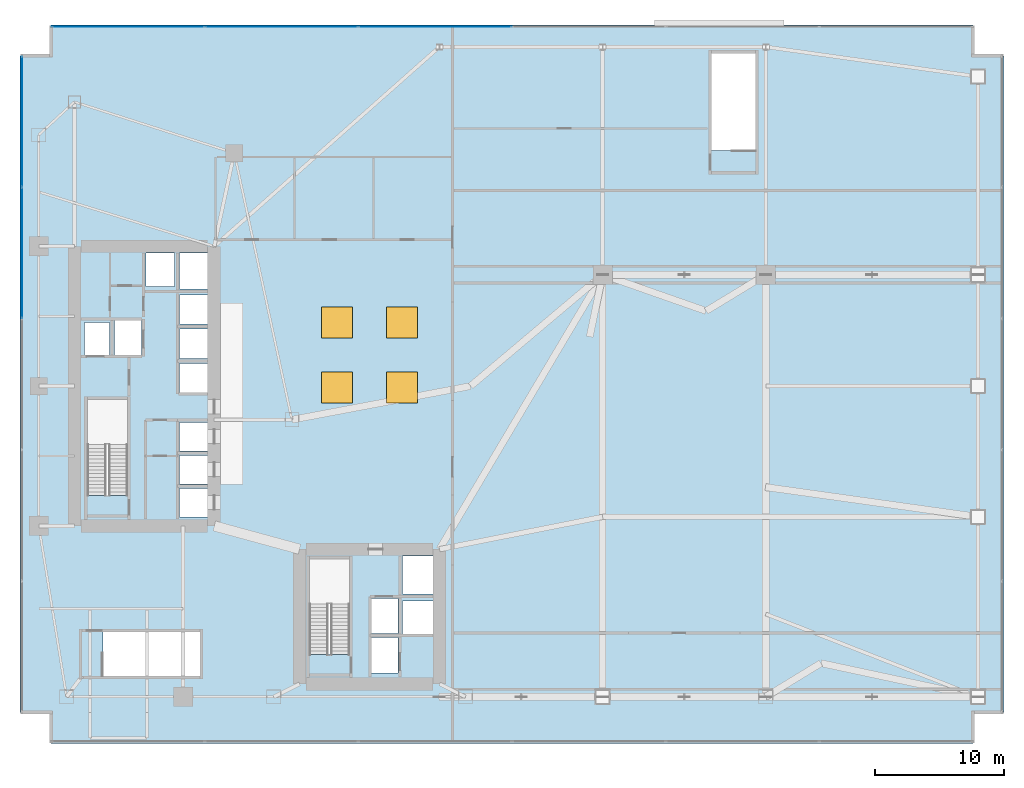
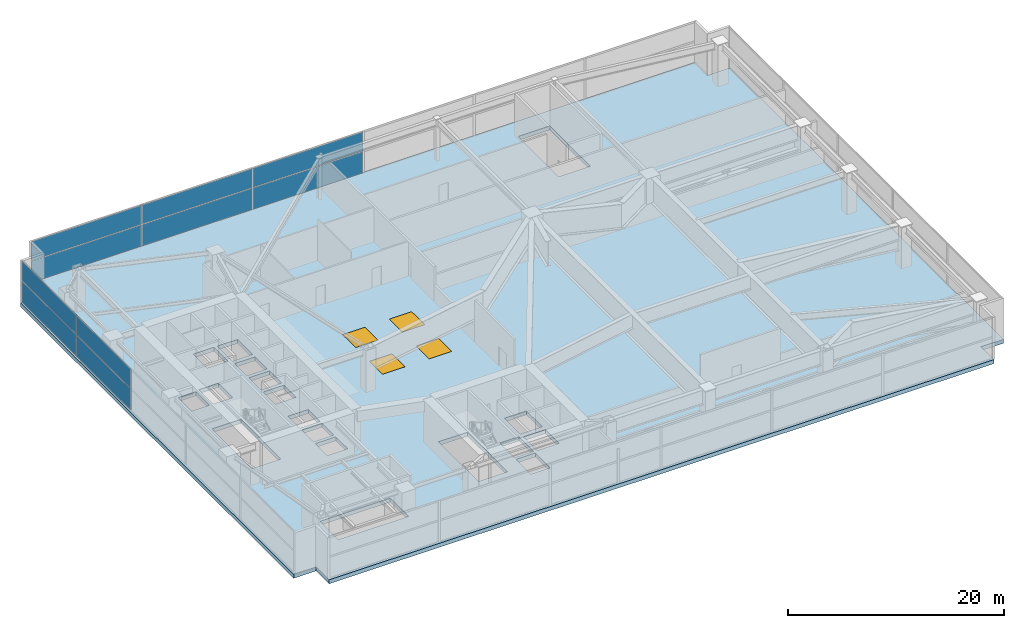
# One storey, part 29 of 36: 10 plates, 4 windows, 1 slab, 4 openings, 2 elements without a shape of their own.
"""IFC4 building model written with IfcOpenShell, lengths in metres."""

from ifc_helpers import new_model, si_unit, direction, frame, origin, origin_2d, place, context, subcontext, project, spatial, polyline, rectangle, outline, extrude, material, layer, layer_set, type_object, element, fill, aggregate, save


model = new_model("IFC4")

# Units and contexts
model_context = context("Model", 3, precision=1e-05, world=origin(), true_north=direction((0.0, 1.0)))
body_context = subcontext(model_context, "Body", "Model", "MODEL_VIEW")
ifc_project = project(units=[si_unit("LENGTHUNIT", "METRE"), si_unit("AREAUNIT", "SQUARE_METRE"), si_unit("VOLUMEUNIT", "CUBIC_METRE"), si_unit("PLANEANGLEUNIT", "RADIAN"), si_unit("MASSUNIT", "GRAM", prefix="KILO")], contexts=[model_context])

# Site, building, storey
site_placement = place(None, origin())
site = spatial("IfcSite", under=ifc_project, at=site_placement, CompositionType="ELEMENT")
building_placement = place(site_placement, origin())
building = spatial("IfcBuilding", under=site, at=building_placement, Name="Calvorn Quay Hotel", CompositionType="ELEMENT")
storey_placement = place(building_placement, frame((0.0, 0.0, 22.0)))
storey = spatial("IfcBuildingStorey", under=building, at=storey_placement, Name="L04", CompositionType="ELEMENT", Elevation=22.0)

# Curtain wall, plates
ifc_material_1 = material(Name="Pale Anodised Aluminium and Low-E Glass", Category="aluminium")
ifc_layer_1 = layer(ifc_material_1, 0.219970703125)
ifc_layer_set_1 = layer_set([ifc_layer_1], Name="CW-SYS-POD")
curtain_wall_type = type_object("IfcCurtainWallType", Name="CW-SYS-POD", PredefinedType="NOTDEFINED", material=ifc_layer_set_1)
curtain_wall_1_placement = place(storey_placement, origin())
curtain_wall_1 = element("IfcCurtainWall", 1, at=curtain_wall_1_placement, inside=storey, type_object=curtain_wall_type, Name="Podium Curtain Wall L04-W1", PredefinedType="NOTDEFINED")
ifc_material_2 = material(Name="Low-E Laminated Double Glazing", Category="glass")
ifc_layer_2 = layer(ifc_material_2, 0.028076171875)
ifc_layer_set_2 = layer_set([ifc_layer_2], Name="CW-SYS-POD-PAN")
plate_type = type_object("IfcPlateType", Name="CW-SYS-POD-PAN", PredefinedType="CURTAIN_PANEL", material=ifc_layer_set_2)
plate_1_placement = place(storey_placement, frame((0.14990234375, 37.889892578125, 0.06005859375), z_axis=(0.0, 0.0, 1.0), x_axis=(0.0, 1.0, 0.0)))
plate_1 = element("IfcPlate", 2, at=plate_1_placement, type_object=plate_type, Name="CW-L04-W1 panel 4.1", PredefinedType="CURTAIN_PANEL", context=body_context, shape_type="SweptSolid", body=[
    extrude(rectangle(XDim=10.080078125, YDim=0.028076171875, at=origin_2d()), origin(), (0.0, 0.0, 1.0), 2.409912109375),
])
plate_2_placement = place(storey_placement, frame((0.14990234375, 37.889892578125, 2.530029296875), z_axis=(0.0, 0.0, 1.0), x_axis=(0.0, 1.0, 0.0)))
plate_2 = element("IfcPlate", 3, at=plate_2_placement, type_object=plate_type, Name="CW-L04-W1 panel 4.2", PredefinedType="CURTAIN_PANEL", context=body_context, shape_type="SweptSolid", body=[
    extrude(rectangle(XDim=10.080078125, YDim=0.028076171875, at=origin_2d()), origin(), (0.0, 0.0, 1.0), 2.169921875),
])
plate_3_placement = place(storey_placement, frame((0.14990234375, 48.014892578125, 0.06005859375), z_axis=(0.0, 0.0, 1.0), x_axis=(0.0, 1.0, 0.0)))
plate_3 = element("IfcPlate", 4, at=plate_3_placement, type_object=plate_type, Name="CW-L04-W1 panel 5.1", PredefinedType="CURTAIN_PANEL", context=body_context, shape_type="SweptSolid", body=[
    extrude(rectangle(XDim=10.050048828125, YDim=0.028076171875, at=origin_2d()), origin(), (0.0, 0.0, 1.0), 2.409912109375),
])
plate_4_placement = place(storey_placement, frame((0.14990234375, 48.014892578125, 2.530029296875), z_axis=(0.0, 0.0, 1.0), x_axis=(0.0, 1.0, 0.0)))
plate_4 = element("IfcPlate", 5, at=plate_4_placement, type_object=plate_type, Name="CW-L04-W1 panel 5.2", PredefinedType="CURTAIN_PANEL", context=body_context, shape_type="SweptSolid", body=[
    extrude(rectangle(XDim=10.050048828125, YDim=0.028076171875, at=origin_2d()), origin(), (0.0, 0.0, 1.0), 2.169921875),
])
aggregate(curtain_wall_1, [plate_1, plate_2, plate_3, plate_4])

curtain_wall_2_placement = place(storey_placement, origin())
curtain_wall_2 = element("IfcCurtainWall", 6, at=curtain_wall_2_placement, inside=storey, type_object=curtain_wall_type, Name="Podium Curtain Wall L04-N1", PredefinedType="NOTDEFINED")
plate_5_placement = place(storey_placement, frame((8.348388671875, 55.35009765625, 0.06005859375), z_axis=(0.0, 0.0, 1.0), x_axis=(1.0, 0.0, 0.0)))
plate_5 = element("IfcPlate", 7, at=plate_5_placement, type_object=plate_type, Name="CW-L04-N1 panel 1.1", PredefinedType="CURTAIN_PANEL", context=body_context, shape_type="SweptSolid", body=[
    extrude(rectangle(XDim=11.776611328125, YDim=0.028076171875, at=origin_2d()), origin(), (0.0, 0.0, 1.0), 2.409912109375),
])
plate_6_placement = place(storey_placement, frame((8.348388671875, 55.35009765625, 2.530029296875), z_axis=(0.0, 0.0, 1.0), x_axis=(1.0, 0.0, 0.0)))
plate_6 = element("IfcPlate", 8, at=plate_6_placement, type_object=plate_type, Name="CW-L04-N1 panel 1.2", PredefinedType="CURTAIN_PANEL", context=body_context, shape_type="SweptSolid", body=[
    extrude(rectangle(XDim=11.776611328125, YDim=0.028076171875, at=origin_2d()), origin(), (0.0, 0.0, 1.0), 2.169921875),
])
plate_7_placement = place(storey_placement, frame((20.199951171875, 55.35009765625, 0.06005859375), z_axis=(0.0, 0.0, 1.0), x_axis=(1.0, 0.0, 0.0)))
plate_7 = element("IfcPlate", 9, at=plate_7_placement, type_object=plate_type, Name="CW-L04-N1 panel 2.1", PredefinedType="CURTAIN_PANEL", context=body_context, shape_type="SweptSolid", body=[
    extrude(rectangle(XDim=11.806640625, YDim=0.028076171875, at=origin_2d()), origin(), (0.0, 0.0, 1.0), 2.409912109375),
])
plate_8_placement = place(storey_placement, frame((20.199951171875, 55.35009765625, 2.530029296875), z_axis=(0.0, 0.0, 1.0), x_axis=(1.0, 0.0, 0.0)))
plate_8 = element("IfcPlate", 10, at=plate_8_placement, type_object=plate_type, Name="CW-L04-N1 panel 2.2", PredefinedType="CURTAIN_PANEL", context=body_context, shape_type="SweptSolid", body=[
    extrude(rectangle(XDim=11.806640625, YDim=0.028076171875, at=origin_2d()), origin(), (0.0, 0.0, 1.0), 2.169921875),
])
plate_9_placement = place(storey_placement, frame((32.066650390625, 55.35009765625, 0.06005859375), z_axis=(0.0, 0.0, 1.0), x_axis=(1.0, 0.0, 0.0)))
plate_9 = element("IfcPlate", 11, at=plate_9_placement, type_object=plate_type, Name="CW-L04-N1 panel 3.1", PredefinedType="CURTAIN_PANEL", context=body_context, shape_type="SweptSolid", body=[
    extrude(rectangle(XDim=11.806640625, YDim=0.028076171875, at=origin_2d()), origin(), (0.0, 0.0, 1.0), 2.409912109375),
])
plate_10_placement = place(storey_placement, frame((32.066650390625, 55.35009765625, 2.530029296875), z_axis=(0.0, 0.0, 1.0), x_axis=(1.0, 0.0, 0.0)))
plate_10 = element("IfcPlate", 12, at=plate_10_placement, type_object=plate_type, Name="CW-L04-N1 panel 3.2", PredefinedType="CURTAIN_PANEL", context=body_context, shape_type="SweptSolid", body=[
    extrude(rectangle(XDim=11.806640625, YDim=0.028076171875, at=origin_2d()), origin(), (0.0, 0.0, 1.0), 2.169921875),
])
aggregate(curtain_wall_2, [plate_5, plate_6, plate_7, plate_8, plate_9, plate_10])

# Slab, openings, windows
ifc_material_3 = material(Name="Concrete C50", Category="concrete")
ifc_layer_3 = layer(ifc_material_3, 0.449951171875)
ifc_layer_set_3 = layer_set([ifc_layer_3], Name="SLB-XFER-450")
slab_type = type_object("IfcSlabType", Name="SLB-XFER-450", PredefinedType="FLOOR", material=ifc_layer_set_3)
slab_placement = place(storey_placement, frame((0.0, 0.0, -0.449951171875)))
slab = element("IfcSlab", 13, at=slab_placement, inside=storey, type_object=slab_type, Name="L04 Structural Floor Slab", PredefinedType="FLOOR", context=body_context, shape_type="SweptSolid", body=[
    extrude(outline(polyline([(0.0, 2.39990234375), (2.39990234375, 2.39990234375), (2.39990234375, 0.0), (73.60009765625, 0.0), (73.60009765625, 2.39990234375), (76.0, 2.39990234375), (76.0, 53.10009765625), (73.60009765625, 53.10009765625), (73.60009765625, 55.5), (2.39990234375, 55.5), (2.39990234375, 53.10009765625), (0.0, 53.10009765625), (0.0, 2.39990234375)]), holes=[polyline([(5.199951171875, 19.156005859375), (8.300048828125, 19.156005859375), (8.300048828125, 26.550048828125), (5.199951171875, 26.550048828125), (5.199951171875, 19.156005859375)]), polyline([(22.35009765625, 6.85595703125), (25.449951171875, 6.85595703125), (25.449951171875, 14.25), (22.35009765625, 14.25), (22.35009765625, 6.85595703125)]), polyline([(53.39990234375, 45.805908203125), (56.800048828125, 45.805908203125), (56.800048828125, 53.300048828125), (53.39990234375, 53.300048828125), (53.39990234375, 45.805908203125)]), polyline([(6.406005859375, 5.199951171875), (13.89990234375, 5.199951171875), (13.89990234375, 8.60009765625), (6.406005859375, 8.60009765625), (6.406005859375, 5.199951171875)]), polyline([(5.0, 30.0), (6.89990234375, 30.0), (6.89990234375, 32.5), (5.0, 32.5), (5.0, 30.0)]), polyline([(7.300048828125, 30.0), (9.39990234375, 30.0), (9.39990234375, 32.64990234375), (7.300048828125, 32.64990234375), (7.300048828125, 30.0)]), polyline([(27.159912109375, 8.5), (29.2099609375, 8.5), (29.2099609375, 11.199951171875), (27.159912109375, 11.199951171875), (27.159912109375, 8.5)]), polyline([(27.159912109375, 5.449951171875), (29.2099609375, 5.449951171875), (29.2099609375, 8.199951171875), (27.159912109375, 8.199951171875), (27.159912109375, 5.449951171875)]), polyline([(12.300048828125, 17.5), (14.489990234375, 17.5), (14.489990234375, 19.699951171875), (12.300048828125, 19.699951171875), (12.300048828125, 17.5)]), polyline([(12.300048828125, 20.050048828125), (14.489990234375, 20.050048828125), (14.489990234375, 22.25), (12.300048828125, 22.25), (12.300048828125, 20.050048828125)]), polyline([(12.300048828125, 22.60009765625), (14.489990234375, 22.60009765625), (14.489990234375, 24.800048828125), (12.300048828125, 24.800048828125), (12.300048828125, 22.60009765625)]), polyline([(12.300048828125, 27.10009765625), (14.489990234375, 27.10009765625), (14.489990234375, 29.35009765625), (12.300048828125, 29.35009765625), (12.300048828125, 27.10009765625)]), polyline([(12.300048828125, 29.75), (14.489990234375, 29.75), (14.489990234375, 32.0), (12.300048828125, 32.0), (12.300048828125, 29.75)]), polyline([(12.300048828125, 32.39990234375), (14.489990234375, 32.39990234375), (14.489990234375, 34.64990234375), (12.300048828125, 34.64990234375), (12.300048828125, 32.39990234375)]), polyline([(12.300048828125, 35.10009765625), (14.489990234375, 35.10009765625), (14.489990234375, 37.889892578125), (12.300048828125, 37.889892578125), (12.300048828125, 35.10009765625)]), polyline([(9.75, 35.300048828125), (11.949951171875, 35.300048828125), (11.949951171875, 37.889892578125), (9.75, 37.889892578125), (9.75, 35.300048828125)]), polyline([(29.550048828125, 11.550048828125), (31.889892578125, 11.550048828125), (31.889892578125, 14.489990234375), (29.550048828125, 14.489990234375), (29.550048828125, 11.550048828125)]), polyline([(29.550048828125, 8.449951171875), (31.889892578125, 8.449951171875), (31.889892578125, 11.0), (29.550048828125, 11.0), (29.550048828125, 8.449951171875)])]), origin(), (0.0, 0.0, 1.0), 0.449951171875),
])
opening_1_placement = place(slab_placement, frame((24.5, 27.5, 0.0)))
opening_1 = element("IfcOpeningElement", 14, at=opening_1_placement, cuts=slab, Name="Opening SK-01", PredefinedType="OPENING", context=body_context, shape_type="SweptSolid", body=[
    extrude(rectangle(XDim=2.39990234375, YDim=2.39990234375, at=origin_2d()), origin(), (0.0, 0.0, 1.0), 0.449951171875),
])
opening_2_placement = place(slab_placement, frame((29.5, 27.5, 0.0)))
opening_2 = element("IfcOpeningElement", 15, at=opening_2_placement, cuts=slab, Name="Opening SK-02", PredefinedType="OPENING", context=body_context, shape_type="SweptSolid", body=[
    extrude(rectangle(XDim=2.39990234375, YDim=2.39990234375, at=origin_2d()), origin(), (0.0, 0.0, 1.0), 0.449951171875),
])
opening_3_placement = place(slab_placement, frame((24.5, 32.5, 0.0)))
opening_3 = element("IfcOpeningElement", 16, at=opening_3_placement, cuts=slab, Name="Opening SK-03", PredefinedType="OPENING", context=body_context, shape_type="SweptSolid", body=[
    extrude(rectangle(XDim=2.39990234375, YDim=2.39990234375, at=origin_2d()), origin(), (0.0, 0.0, 1.0), 0.449951171875),
])
opening_4_placement = place(slab_placement, frame((29.5, 32.5, 0.0)))
opening_4 = element("IfcOpeningElement", 17, at=opening_4_placement, cuts=slab, Name="Opening SK-04", PredefinedType="OPENING", context=body_context, shape_type="SweptSolid", body=[
    extrude(rectangle(XDim=2.39990234375, YDim=2.39990234375, at=origin_2d()), origin(), (0.0, 0.0, 1.0), 0.449951171875),
])
ifc_material_4 = material(Name="Laminated Safety Double-Glazed Skylight")
window_type = type_object("IfcWindowType", Name="WIN-FOYER-SKYLIGHT-3200x3200", PartitioningType="SINGLE_PANEL", PredefinedType="SKYLIGHT", material=ifc_material_4)
window_1_placement = place(opening_1_placement, frame((0.0, 0.0, 0.39990234375)))
window_1 = element("IfcWindow", 18, at=window_1_placement, inside=storey, type_object=window_type, Name="Podium Atrium Skylight SK-01", OverallHeight=2.39990234375, OverallWidth=2.39990234375, PartitioningType="SINGLE_PANEL", PredefinedType="SKYLIGHT", context=body_context, shape_type="SweptSolid", body=[
    extrude(rectangle(XDim=2.39990234375, YDim=2.39990234375, at=origin_2d()), origin(), (0.0, 0.0, 1.0), 0.050048828125),
])
fill(opening_1, window_1)
window_2_placement = place(opening_2_placement, frame((0.0, 0.0, 0.39990234375)))
window_2 = element("IfcWindow", 19, at=window_2_placement, inside=storey, type_object=window_type, Name="Podium Atrium Skylight SK-02", OverallHeight=2.39990234375, OverallWidth=2.39990234375, PartitioningType="SINGLE_PANEL", PredefinedType="SKYLIGHT", context=body_context, shape_type="SweptSolid", body=[
    extrude(rectangle(XDim=2.39990234375, YDim=2.39990234375, at=origin_2d()), origin(), (0.0, 0.0, 1.0), 0.050048828125),
])
fill(opening_2, window_2)
window_3_placement = place(opening_3_placement, frame((0.0, 0.0, 0.39990234375)))
window_3 = element("IfcWindow", 20, at=window_3_placement, inside=storey, type_object=window_type, Name="Podium Atrium Skylight SK-03", OverallHeight=2.39990234375, OverallWidth=2.39990234375, PartitioningType="SINGLE_PANEL", PredefinedType="SKYLIGHT", context=body_context, shape_type="SweptSolid", body=[
    extrude(rectangle(XDim=2.39990234375, YDim=2.39990234375, at=origin_2d()), origin(), (0.0, 0.0, 1.0), 0.050048828125),
])
fill(opening_3, window_3)
window_4_placement = place(opening_4_placement, frame((0.0, 0.0, 0.39990234375)))
window_4 = element("IfcWindow", 21, at=window_4_placement, inside=storey, type_object=window_type, Name="Podium Atrium Skylight SK-04", OverallHeight=2.39990234375, OverallWidth=2.39990234375, PartitioningType="SINGLE_PANEL", PredefinedType="SKYLIGHT", context=body_context, shape_type="SweptSolid", body=[
    extrude(rectangle(XDim=2.39990234375, YDim=2.39990234375, at=origin_2d()), origin(), (0.0, 0.0, 1.0), 0.050048828125),
])
fill(opening_4, window_4)

save(model, "model.ifc")
